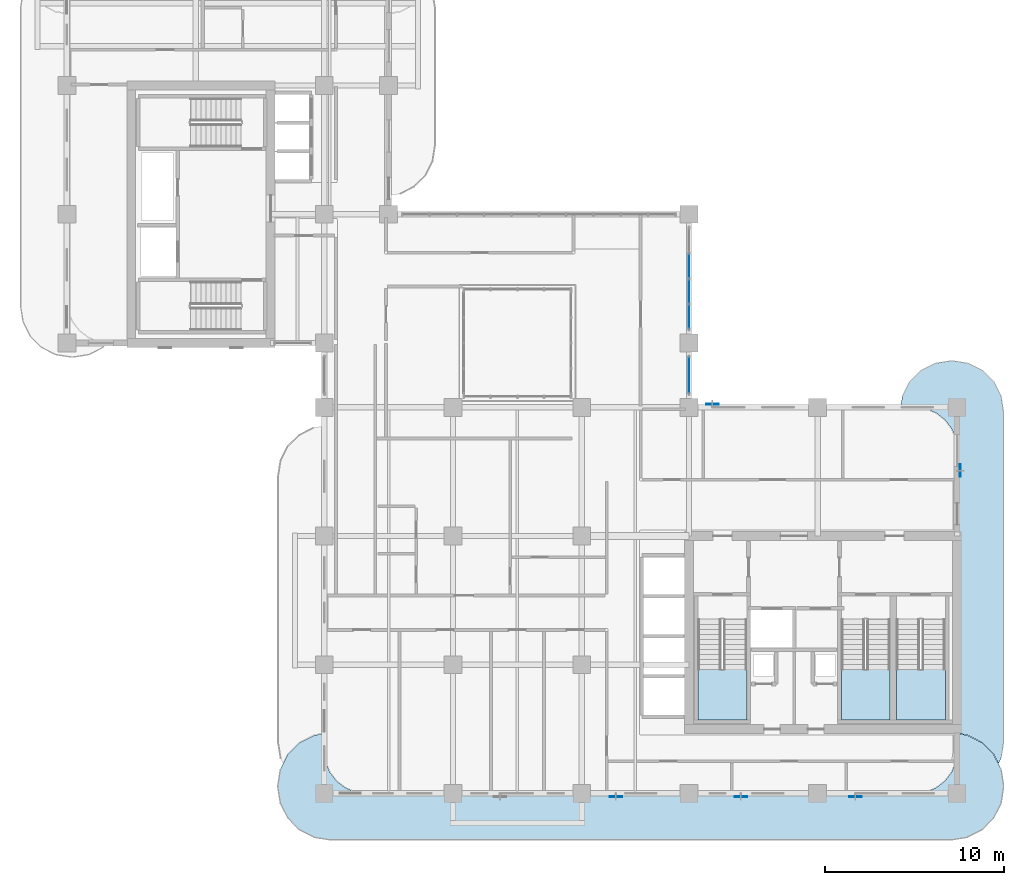
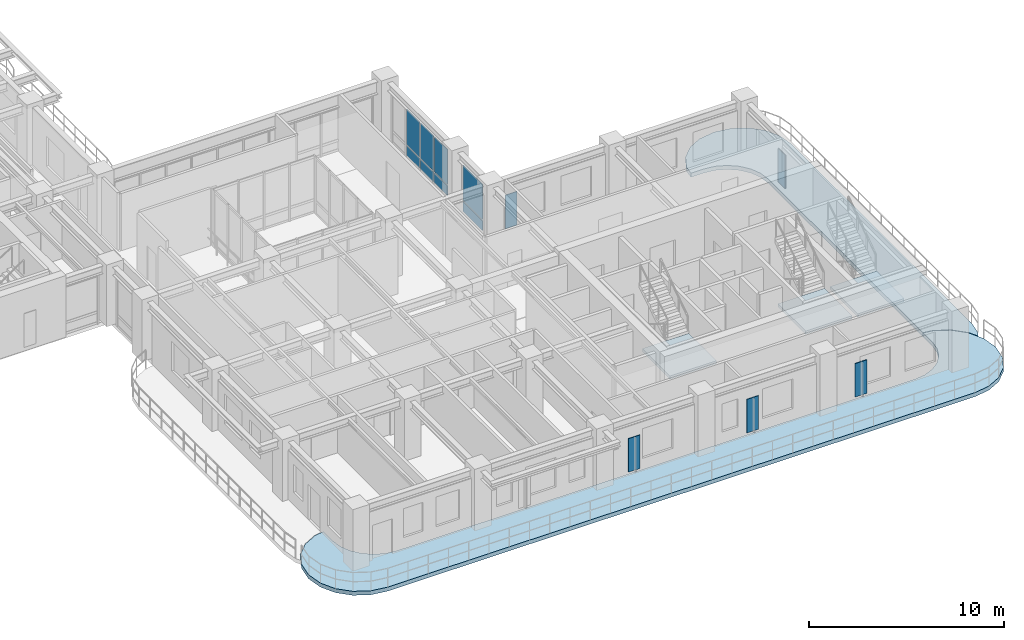
# One storey, part 9 of 21: 13 plates, 5 slabs, 5 elements without a shape of their own.
"""IFC4 building model written with IfcOpenShell, lengths in metres."""

from ifc_helpers import new_model, si_unit, derived_unit, direction, frame, origin, origin_2d, place, context, subcontext, project, spatial, polyline, rectangle, outline, extrude, source, transform, mapped, material, layer, layer_set, type_object, type_shapes, element, aggregate, save


model = new_model("IFC4")

# Units and contexts
model_context = context("Model", 3, precision=1e-05, world=origin(), true_north=direction((0.0, 1.0)))
body_context = subcontext(model_context, "Body", "Model", "MODEL_VIEW")
ifc_project = project(units=[si_unit("LENGTHUNIT", "METRE"), si_unit("AREAUNIT", "SQUARE_METRE"), si_unit("VOLUMEUNIT", "CUBIC_METRE"), si_unit("PLANEANGLEUNIT", "RADIAN"), si_unit("MASSUNIT", "GRAM", prefix="KILO"), si_unit("THERMODYNAMICTEMPERATUREUNIT", "KELVIN"), si_unit("POWERUNIT", "WATT"), derived_unit("THERMALTRANSMITTANCEUNIT", [(si_unit("POWERUNIT", "WATT"), 1), (si_unit("AREAUNIT", "SQUARE_METRE"), -1), (si_unit("THERMODYNAMICTEMPERATUREUNIT", "KELVIN"), -1)])], contexts=[model_context])

# Site, building, storey
site_placement = place(None, origin())
site = spatial("IfcSite", under=ifc_project, at=site_placement, CompositionType="ELEMENT")
building_placement = place(site_placement, origin())
building = spatial("IfcBuilding", under=site, at=building_placement, Name="Zahravan Archway Hotel and Residences", CompositionType="ELEMENT")
storey_placement = place(building_placement, frame((0.0, 0.0, 169.550048828125)))
storey = spatial("IfcBuildingStorey", under=building, at=storey_placement, Name="L42", CompositionType="ELEMENT", Elevation=169.550048828125)

# Slabs
ifc_material_1 = material(Name="Concrete C45/55", Category="concrete")
ifc_layer_1 = layer(ifc_material_1, 0.25, Name="Concrete C45/55", Category="concrete")
ifc_layer_set_1 = layer_set([ifc_layer_1], Name="Concrete C45/55")
slab_type_1 = type_object("IfcSlabType", Name="SLB-BALC-250", PredefinedType="FLOOR", material=ifc_layer_set_1)
slab_1_placement = place(storey_placement, frame((0.0, 0.0, -0.25)))
element("IfcSlab", 1, at=slab_1_placement, inside=storey, type_object=slab_type_1, Name="L42 Wing A South Rounded Balcony Band", PredefinedType="FLOOR", context=body_context, shape_type="SweptSolid", body=[
    extrude(outline(polyline([(50.361572265625, 3.255615234375), (51.18408203125, 2.836669921875), (51.836669921875, 2.18408203125), (52.255615234375, 1.361572265625), (52.39990234375, 0.449951171875), (52.39990234375, 0.35009765625), (52.255615234375, -0.5615234375), (51.836669921875, -1.384033203125), (51.18408203125, -2.03662109375), (50.361572265625, -2.45556640625), (49.449951171875, -2.60009765625), (14.75, -2.60009765625), (13.83837890625, -2.45556640625), (13.01611328125, -2.03662109375), (12.36328125, -1.384033203125), (11.9443359375, -0.5615234375), (11.800048828125, 0.35009765625), (11.800048828125, 0.449951171875), (11.9443359375, 1.361572265625), (12.36328125, 2.18408203125), (13.01611328125, 2.836669921875), (13.83837890625, 3.255615234375), (14.3798828125, 3.34130859375), (14.3798828125, 2.39990234375), (14.380126953125, 2.3974609375), (14.4619140625, 1.776123046875), (14.46240234375, 1.7744140625), (14.462646484375, 1.772705078125), (14.46337890625, 1.77099609375), (14.702880859375, 1.1923828125), (14.703857421875, 1.19091796875), (14.70458984375, 1.189208984375), (14.70556640625, 1.187744140625), (15.0869140625, 0.690673828125), (15.088134765625, 0.689453125), (15.08935546875, 0.688232421875), (15.0908203125, 0.68701171875), (15.587890625, 0.3056640625), (15.58935546875, 0.3046875), (15.5908203125, 0.3037109375), (15.59228515625, 0.302978515625), (16.171142578125, 0.063232421875), (16.1728515625, 0.062744140625), (16.174560546875, 0.062255859375), (16.17626953125, 0.06201171875), (16.79736328125, -0.019775390625), (16.800048828125, -0.02001953125), (47.39990234375, -0.02001953125), (47.402587890625, -0.019775390625), (48.023681640625, 0.06201171875), (48.025390625, 0.062255859375), (48.027099609375, 0.062744140625), (48.02880859375, 0.063232421875), (48.607666015625, 0.302978515625), (48.609130859375, 0.3037109375), (48.610595703125, 0.3046875), (48.6123046875, 0.3056640625), (49.109375, 0.68701171875), (49.110595703125, 0.688232421875), (49.11181640625, 0.689453125), (49.113037109375, 0.690673828125), (49.494384765625, 1.187744140625), (49.495361328125, 1.189208984375), (49.49609375, 1.19091796875), (49.4970703125, 1.1923828125), (49.73681640625, 1.77099609375), (49.7373046875, 1.772705078125), (49.73779296875, 1.7744140625), (49.738037109375, 1.776123046875), (49.81982421875, 2.3974609375), (49.820068359375, 2.39990234375), (49.820068359375, 3.34130859375), (50.361572265625, 3.255615234375)])), origin(), (0.0, 0.0, 1.0), 0.25),
])
slab_2_placement = place(storey_placement, frame((0.0, 0.0, -0.25)))
element("IfcSlab", 2, at=slab_2_placement, inside=storey, type_object=slab_type_1, Name="L42 Wing A East Rounded Balcony Band", PredefinedType="FLOOR", context=body_context, shape_type="SweptSolid", body=[
    extrude(outline(polyline([(46.739501953125, 22.230712890625), (47.144287109375, 23.025146484375), (47.77490234375, 23.65576171875), (48.5693359375, 24.060546875), (49.449951171875, 24.199951171875), (49.550048828125, 24.199951171875), (50.4306640625, 24.060546875), (51.22509765625, 23.65576171875), (51.855712890625, 23.025146484375), (52.260498046875, 22.230712890625), (52.39990234375, 21.35009765625), (52.39990234375, 2.85009765625), (52.260498046875, 1.96923828125), (52.114501953125, 1.6826171875), (51.8544921875, 2.193115234375), (51.853515625, 2.19482421875), (51.85205078125, 2.196533203125), (51.8505859375, 2.197998046875), (51.197998046875, 2.8505859375), (51.196533203125, 2.85205078125), (51.19482421875, 2.853515625), (51.193115234375, 2.8544921875), (50.37060546875, 3.2734375), (50.368896484375, 3.2744140625), (50.36669921875, 3.27490234375), (50.36474609375, 3.275390625), (49.822998046875, 3.361083984375), (49.8212890625, 3.361328125), (49.820068359375, 3.361328125), (49.820068359375, 19.199951171875), (49.81982421875, 19.20263671875), (49.738037109375, 19.82373046875), (49.73779296875, 19.825439453125), (49.7373046875, 19.8271484375), (49.73681640625, 19.828857421875), (49.4970703125, 20.40771484375), (49.49609375, 20.4091796875), (49.495361328125, 20.41064453125), (49.494384765625, 20.412109375), (49.113037109375, 20.9091796875), (49.11181640625, 20.91064453125), (49.110595703125, 20.911865234375), (49.109375, 20.9130859375), (48.6123046875, 21.29443359375), (48.610595703125, 21.29541015625), (48.609130859375, 21.296142578125), (48.607666015625, 21.297119140625), (48.02880859375, 21.53662109375), (48.027099609375, 21.537353515625), (48.025390625, 21.53759765625), (48.023681640625, 21.5380859375), (47.402587890625, 21.619873046875), (47.39990234375, 21.6201171875), (46.642822265625, 21.6201171875), (46.739501953125, 22.230712890625)])), origin(), (0.0, 0.0, 1.0), 0.25),
])

# Stair, slab
ifc_material_2 = material(Name="Concrete C50/60", Category="concrete")
stair_type = type_object("IfcStairType", Name="STR-CORE-1300", PredefinedType="HALF_TURN_STAIR", material=ifc_material_2)
stair_1_placement = place(storey_placement, origin())
stair_1 = element("IfcStair", 3, at=stair_1_placement, inside=storey, type_object=stair_type, Name="L42 Core A Exit Stair 1", PredefinedType="HALF_TURN_STAIR")
ifc_layer_2 = layer(ifc_material_2, 0.199951171875, Name="Concrete C50/60", Category="concrete")
ifc_layer_set_2 = layer_set([ifc_layer_2], Name="Concrete C50/60")
slab_type_2 = type_object("IfcSlabType", Name="SLB-LND-200", PredefinedType="LANDING", material=ifc_layer_set_2)
slab_3_placement = place(storey_placement, frame((0.0, 0.0, 1.724853515625)))
slab_3 = element("IfcSlab", 4, at=slab_3_placement, type_object=slab_type_2, Name="ST-A1 landing 1", PredefinedType="LANDING", context=body_context, shape_type="SweptSolid", body=[
    extrude(outline(polyline([(35.300048828125, 6.929931640625), (35.300048828125, 4.10009765625), (38.0400390625, 4.10009765625), (38.0400390625, 6.929931640625), (35.300048828125, 6.929931640625)])), origin(), (0.0, 0.0, 1.0), 0.2001953125),
])
aggregate(stair_1, [slab_3])

stair_2_placement = place(storey_placement, origin())
stair_2 = element("IfcStair", 5, at=stair_2_placement, inside=storey, type_object=stair_type, Name="L42 Core A Exit Stair 2", PredefinedType="HALF_TURN_STAIR")
slab_4_placement = place(storey_placement, frame((0.0, 0.0, 1.724853515625)))
slab_4 = element("IfcSlab", 6, at=slab_4_placement, type_object=slab_type_2, Name="ST-A2 landing 1", PredefinedType="LANDING", context=body_context, shape_type="SweptSolid", body=[
    extrude(outline(polyline([(43.320068359375, 6.929931640625), (43.320068359375, 4.10009765625), (46.06005859375, 4.10009765625), (46.06005859375, 6.929931640625), (43.320068359375, 6.929931640625)])), origin(), (0.0, 0.0, 1.0), 0.2001953125),
])
aggregate(stair_2, [slab_4])

stair_3_placement = place(storey_placement, origin())
stair_3 = element("IfcStair", 7, at=stair_3_placement, inside=storey, type_object=stair_type, Name="L42 Core A Exit Stair 3", PredefinedType="HALF_TURN_STAIR")
slab_5_placement = place(storey_placement, frame((0.0, 0.0, 1.724853515625)))
slab_5 = element("IfcSlab", 8, at=slab_5_placement, type_object=slab_type_2, Name="ST-A3 landing 1", PredefinedType="LANDING", context=body_context, shape_type="SweptSolid", body=[
    extrude(outline(polyline([(46.39990234375, 6.929931640625), (46.39990234375, 4.10009765625), (49.139892578125, 4.10009765625), (49.139892578125, 6.929931640625), (46.39990234375, 6.929931640625)])), origin(), (0.0, 0.0, 1.0), 0.2001953125),
])
aggregate(stair_3, [slab_5])

# Plates
ifc_material_3 = material(Name="Perforated Cast Bronze Jali Lattice")
ifc_layer_3 = layer(ifc_material_3, 0.044921875, Name="Perforated Cast Bronze Jali Lattice")
ifc_layer_set_3 = layer_set([ifc_layer_3], Name="Perforated Cast Bronze Jali Lattice")
plate_type_1 = type_object("IfcPlateType", Name="PLT-JALI-BAY", PredefinedType="USERDEFINED", material=ifc_layer_set_3)
shared_shape_1 = source(origin(), body_context, "Body", "SweptSolid", [
    extrude(rectangle(XDim=0.699951171875, YDim=0.044921875, at=origin_2d()), origin(), (0.0, 0.0, 1.0), 2.10009765625),
])
type_shapes(plate_type_1, [shared_shape_1])
for number, where, z_axis, x_axis, name in (
    (9, (30.7080078125, -0.177978515625, 0.25), (0.0, 0.0, 1.0), (1.0, 0.0, 0.0), "L42 Perforated Bronze Jali Pier Screen 02"),
    (10, (37.7080078125, -0.177978515625, 0.25), (0.0, 0.0, 1.0), (1.0, 0.0, 0.0), "L42 Perforated Bronze Jali Pier Screen 03"),
    (11, (44.10791015625, -0.177978515625, 0.25), (0.0, 0.0, 1.0), (1.0, 0.0, 0.0), "L42 Perforated Bronze Jali Pier Screen 04"),
    (12, (49.97802734375, 18.05908203125, 0.25), (0.0, 0.0, 1.0), (0.0, 1.0, 0.0), "L42 Perforated Bronze Jali Pier Screen 05"),
    (13, (36.10791015625, 21.778076171875, 0.25), (0.0, 0.0, 1.0), (1.0, 0.0, 0.0), "L42 Perforated Bronze Jali Pier Screen 06"),
):
    element("IfcPlate", number, at=place(storey_placement, frame(where, z_axis=z_axis, x_axis=x_axis)), inside=storey, type_object=plate_type_1, Name=name, ObjectType="SCREEN", PredefinedType="USERDEFINED", context=body_context, shape_type="MappedRepresentation", body=[
        mapped(shared_shape_1, transform((0.0, 0.0, 0.0), scale=1.0)),
    ])

# Curtain wall, plates
ifc_material_4 = material(Name="Bronze-Anodized Unitised Aluminium & Low-E Glass", Category="aluminium")
ifc_layer_4 = layer(ifc_material_4, 0.179931640625, Name="Bronze-Anodized Unitised Aluminium & Low-E Glass", Category="aluminium")
ifc_layer_set_4 = layer_set([ifc_layer_4], Name="Bronze-Anodized Unitised Aluminium & Low-E Glass")
curtain_wall_type = type_object("IfcCurtainWallType", Name="CW-ATR-GLAZ", PredefinedType="NOTDEFINED", material=ifc_layer_set_4)
curtain_wall_1_placement = place(storey_placement, origin())
curtain_wall_1 = element("IfcCurtainWall", 14, at=curtain_wall_1_placement, inside=storey, type_object=curtain_wall_type, Name="L42 Curtain Wall CW-L42-HNG-E-1", PredefinedType="NOTDEFINED")
ifc_material_5 = material(Name="Insulated Terracotta Spandrel Panel", Category="masonry")
ifc_layer_5 = layer(ifc_material_5, 0.0400390625, Name="Insulated Terracotta Spandrel Panel", Category="masonry")
ifc_layer_set_5 = layer_set([ifc_layer_5], Name="Insulated Terracotta Spandrel Panel")
plate_type_2 = type_object("IfcPlateType", Name="CWP-SPN-40", PredefinedType="SHEET", material=ifc_layer_set_5)
shared_shape_2 = source(origin(), body_context, "Body", "SweptSolid", [
    extrude(rectangle(XDim=2.0, YDim=0.0400390625, at=origin_2d()), origin(), (0.0, 0.0, 1.0), 0.600341796875),
])
plate_1_placement = place(storey_placement, frame((34.800048828125, 23.39990234375, 0.10009765625), z_axis=(0.0, 0.0, 1.0), x_axis=(0.0, 1.0, 0.0)))
plate_1 = element("IfcPlate", 15, at=plate_1_placement, type_object=plate_type_2, Name="CW-L42-HNG-E-1 Spandrel Panel 0", PredefinedType="SHEET", context=body_context, shape_type="MappedRepresentation", body=[
    mapped(shared_shape_2, transform((0.0, 0.0, 0.0), scale=1.0)),
])
ifc_material_6 = material(Name="Double-Silver Low-E Insulated Vision Glass", Category="glass")
ifc_layer_6 = layer(ifc_material_6, 0.028076171875, Name="Double-Silver Low-E Insulated Vision Glass", Category="glass")
ifc_layer_set_6 = layer_set([ifc_layer_6], Name="Double-Silver Low-E Insulated Vision Glass")
plate_type_3 = type_object("IfcPlateType", Name="CWP-GLZ-28", PredefinedType="CURTAIN_PANEL", material=ifc_layer_set_6)
shared_shape_3 = source(origin(), body_context, "Body", "SweptSolid", [
    extrude(rectangle(XDim=2.0, YDim=0.028076171875, at=origin_2d()), origin(), (0.0, 0.0, 1.0), 2.20458984375),
])
plate_2_placement = place(storey_placement, frame((34.800048828125, 23.39990234375, 0.7802734375), z_axis=(0.0, 0.0, 1.0), x_axis=(0.0, 1.0, 0.0)))
plate_2 = element("IfcPlate", 16, at=plate_2_placement, type_object=plate_type_3, Name="CW-L42-HNG-E-1 Low-E Vision Panel 0", PredefinedType="CURTAIN_PANEL", context=body_context, shape_type="MappedRepresentation", body=[
    mapped(shared_shape_3, transform((0.0, 0.0, 0.0), scale=1.0)),
])
aggregate(curtain_wall_1, [plate_1, plate_2])

curtain_wall_2_placement = place(storey_placement, origin())
curtain_wall_2 = element("IfcCurtainWall", 17, at=curtain_wall_2_placement, inside=storey, type_object=curtain_wall_type, Name="L42 Curtain Wall CW-L42-HNG-E-2", PredefinedType="NOTDEFINED")
shared_shape_4 = source(origin(), body_context, "Body", "SweptSolid", [
    extrude(rectangle(XDim=1.340087890625, YDim=0.0400390625, at=origin_2d()), origin(), (0.0, 0.0, 1.0), 0.600341796875),
])
plate_3_placement = place(storey_placement, frame((34.800048828125, 26.669921875, 0.10009765625), z_axis=(0.0, 0.0, 1.0), x_axis=(0.0, 1.0, 0.0)))
plate_3 = element("IfcPlate", 18, at=plate_3_placement, type_object=plate_type_2, Name="CW-L42-HNG-E-2 Spandrel Panel 0", PredefinedType="SHEET", context=body_context, shape_type="MappedRepresentation", body=[
    mapped(shared_shape_4, transform((0.0, 0.0, 0.0), scale=1.0)),
])
plate_4_placement = place(storey_placement, frame((34.800048828125, 28.090087890625, 0.10009765625), z_axis=(0.0, 0.0, 1.0), x_axis=(0.0, 1.0, 0.0)))
plate_4 = element("IfcPlate", 19, at=plate_4_placement, type_object=plate_type_2, Name="CW-L42-HNG-E-2 Spandrel Panel 1", PredefinedType="SHEET", context=body_context, shape_type="MappedRepresentation", body=[
    mapped(shared_shape_4, transform((0.0, 0.0, 0.0), scale=1.0)),
])
plate_5_placement = place(storey_placement, frame((34.800048828125, 29.510009765625, 0.10009765625), z_axis=(0.0, 0.0, 1.0), x_axis=(0.0, 1.0, 0.0)))
plate_5 = element("IfcPlate", 20, at=plate_5_placement, type_object=plate_type_2, Name="CW-L42-HNG-E-2 Spandrel Panel 2", PredefinedType="SHEET", context=body_context, shape_type="MappedRepresentation", body=[
    mapped(shared_shape_4, transform((0.0, 0.0, 0.0), scale=1.0)),
])
shared_shape_5 = source(origin(), body_context, "Body", "SweptSolid", [
    extrude(rectangle(XDim=1.340087890625, YDim=0.028076171875, at=origin_2d()), origin(), (0.0, 0.0, 1.0), 2.20458984375),
])
plate_6_placement = place(storey_placement, frame((34.800048828125, 26.669921875, 0.7802734375), z_axis=(0.0, 0.0, 1.0), x_axis=(0.0, 1.0, 0.0)))
plate_6 = element("IfcPlate", 21, at=plate_6_placement, type_object=plate_type_3, Name="CW-L42-HNG-E-2 Low-E Vision Panel 0", PredefinedType="CURTAIN_PANEL", context=body_context, shape_type="MappedRepresentation", body=[
    mapped(shared_shape_5, transform((0.0, 0.0, 0.0), scale=1.0)),
])
plate_7_placement = place(storey_placement, frame((34.800048828125, 28.090087890625, 0.7802734375), z_axis=(0.0, 0.0, 1.0), x_axis=(0.0, 1.0, 0.0)))
plate_7 = element("IfcPlate", 22, at=plate_7_placement, type_object=plate_type_3, Name="CW-L42-HNG-E-2 Low-E Vision Panel 1", PredefinedType="CURTAIN_PANEL", context=body_context, shape_type="MappedRepresentation", body=[
    mapped(shared_shape_5, transform((0.0, 0.0, 0.0), scale=1.0)),
])
plate_8_placement = place(storey_placement, frame((34.800048828125, 29.510009765625, 0.7802734375), z_axis=(0.0, 0.0, 1.0), x_axis=(0.0, 1.0, 0.0)))
plate_8 = element("IfcPlate", 23, at=plate_8_placement, type_object=plate_type_3, Name="CW-L42-HNG-E-2 Low-E Vision Panel 2", PredefinedType="CURTAIN_PANEL", context=body_context, shape_type="MappedRepresentation", body=[
    mapped(shared_shape_5, transform((0.0, 0.0, 0.0), scale=1.0)),
])
aggregate(curtain_wall_2, [plate_3, plate_6, plate_4, plate_7, plate_5, plate_8])

save(model, "model.ifc")
